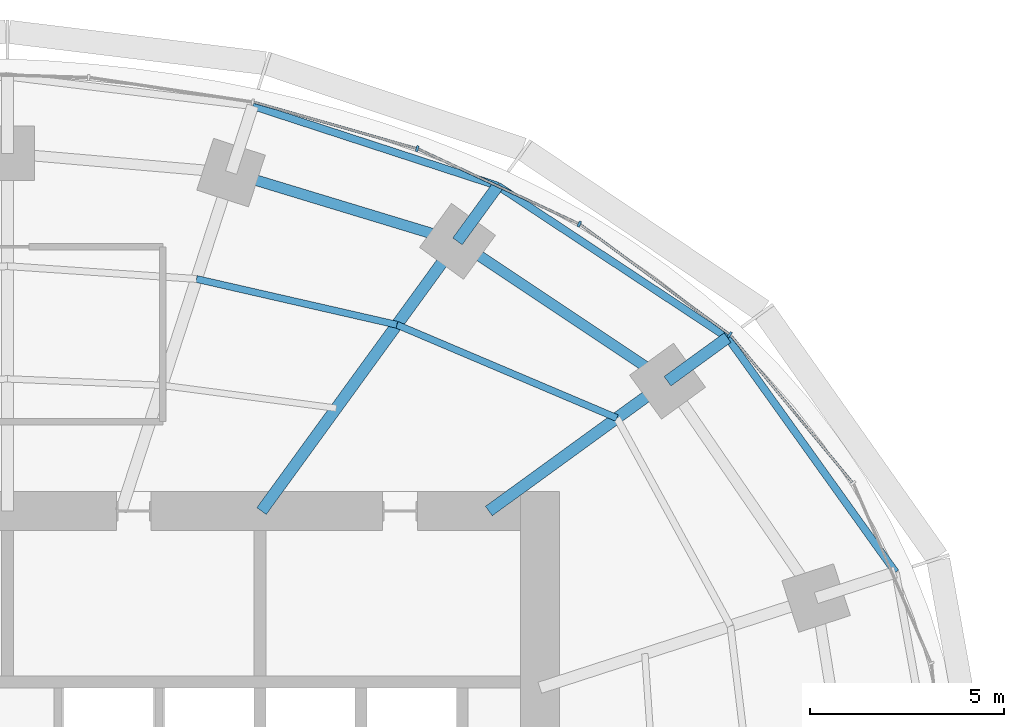
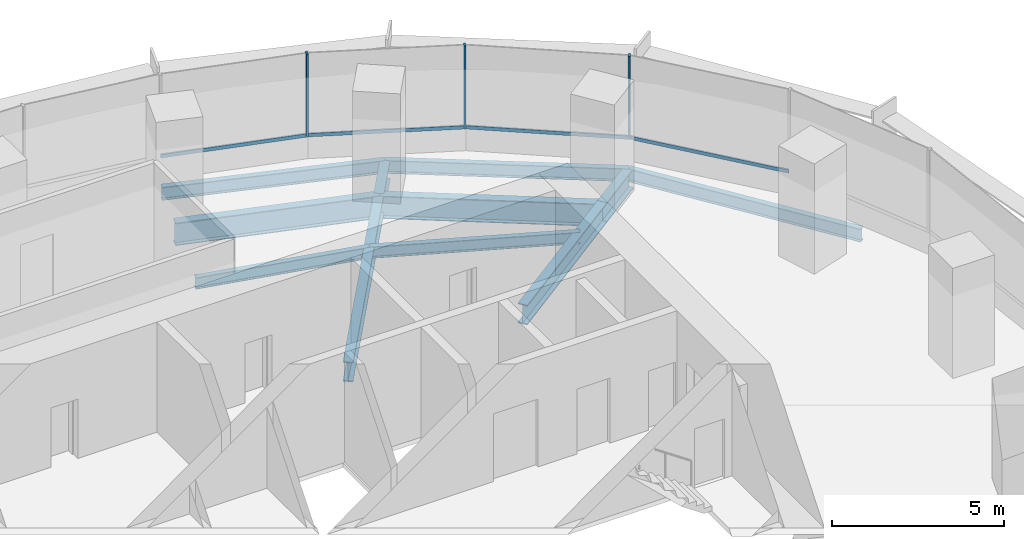
# One storey, part 8 of 14: 11 beams, 7 members, 2 elements without a shape of their own.
"""IFC4 building model written with IfcOpenShell, lengths in metres."""

from ifc_helpers import new_model, si_unit, direction, frame, origin, origin_2d, place, context, subcontext, project, spatial, rectangle, i_section, extrude, material, material_profile, profile_set, type_object, element, aggregate, save


model = new_model("IFC4")

# Units and contexts
model_context = context("Model", 3, precision=1e-05, world=origin(), true_north=direction((0.0, 1.0)))
body_context = subcontext(model_context, "Body", "Model", "MODEL_VIEW")
ifc_project = project(units=[si_unit("LENGTHUNIT", "METRE"), si_unit("AREAUNIT", "SQUARE_METRE"), si_unit("VOLUMEUNIT", "CUBIC_METRE"), si_unit("PLANEANGLEUNIT", "RADIAN"), si_unit("MASSUNIT", "GRAM", prefix="KILO")], contexts=[model_context])

# Site, building, storey
site_placement = place(None, origin())
site = spatial("IfcSite", under=ifc_project, at=site_placement, CompositionType="ELEMENT")
building_placement = place(site_placement, origin())
building = spatial("IfcBuilding", under=site, at=building_placement, Name="Marramba Exchange Tower", CompositionType="ELEMENT")
storey_placement = place(building_placement, frame((0.0, 0.0, 215.0)))
storey = spatial("IfcBuildingStorey", under=building, at=storey_placement, Name="L52", CompositionType="ELEMENT", Elevation=215.0)

# Beams
ifc_material_1 = material(Name="Steel AS/NZS 3679.2 grade 300", Category="steel")
ifc_material_profile_1 = material_profile(ifc_material_1, i_section(OverallWidth=0.300048828125, OverallDepth=0.699951171875, WebThickness=0.010009765625, FlangeThickness=0.031982421875, at=origin_2d()), Name="700WB173")
ifc_profile_set_1 = profile_set([ifc_material_profile_1], Name="Steel AS/NZS 3679.2 grade 300")
beam_type_1 = type_object("IfcBeamType", Name="Cantilever girder 700WB173", PredefinedType="BEAM", material=ifc_profile_set_1)
beam_1_placement = place(storey_placement, frame((16.98583984375, 12.3408203125, -0.510009765625), z_axis=(0.808962750283, 0.587859905636, 0.0), x_axis=(-0.587859905636, 0.808962750283, 0.0)))
element("IfcBeam", 1, at=beam_1_placement, inside=storey, type_object=beam_type_1, Name="Cantilever girder L52 TC03", PredefinedType="BEAM", context=body_context, shape_type="SweptSolid", body=[
    extrude(i_section(OverallWidth=0.300048828125, OverallDepth=0.699951171875, WebThickness=0.010009765625, FlangeThickness=0.031982421875, at=origin_2d()), origin(), (0.0, 0.0, 1.0), 1.9091796875),
])
beam_2_placement = place(storey_placement, frame((11.581298828125, 15.9404296875, -0.510009765625), z_axis=(0.587817766387, 0.808993370504, 0.0), x_axis=(-0.808993370504, 0.587817766387, 0.0)))
element("IfcBeam", 2, at=beam_2_placement, inside=storey, type_object=beam_type_1, Name="Cantilever girder L52 TC04", PredefinedType="BEAM", context=body_context, shape_type="SweptSolid", body=[
    extrude(i_section(OverallWidth=0.300048828125, OverallDepth=0.699951171875, WebThickness=0.010009765625, FlangeThickness=0.031982421875, at=origin_2d()), origin(), (0.0, 0.0, 1.0), 1.763916015625),
])
ifc_material_2 = material(Name="Steel AS/NZS 3679.1 grade 300", Category="steel")
ifc_material_profile_2 = material_profile(ifc_material_2, i_section(OverallWidth=0.177978515625, OverallDepth=0.406005859375, WebThickness=0.0078125, FlangeThickness=0.0126953125, FilletRadius=0.011474609375, at=origin_2d()), Name="410UB59.7")
ifc_profile_set_2 = profile_set([ifc_material_profile_2], Name="Steel AS/NZS 3679.1 grade 300")
beam_type_2 = type_object("IfcBeamType", Name="Floor joist 410UB59.7", PredefinedType="JOIST", material=ifc_profile_set_2)
beam_3_placement = place(storey_placement, frame((15.682373046875, 11.393798828125, -0.363037109375), z_axis=(-0.920674336375, 0.390331610738, 0.0), x_axis=(-0.390331610738, -0.920674336375, 0.0)))
element("IfcBeam", 3, at=beam_3_placement, inside=storey, type_object=beam_type_2, Name="Joist L52 bay 03 row 2", PredefinedType="JOIST", context=body_context, shape_type="SweptSolid", body=[
    extrude(i_section(OverallWidth=0.177978515625, OverallDepth=0.406005859375, WebThickness=0.0078125, FlangeThickness=0.0126953125, FilletRadius=0.011474609375, at=origin_2d()), origin(), (0.0, 0.0, 1.0), 6.1484375),
])
beam_4_placement = place(storey_placement, frame((10.021728515625, 13.793701171875, -0.363037109375), z_axis=(-0.974859652292, 0.222819788916, 0.0), x_axis=(-0.222819788916, -0.974859652292, 0.0)))
element("IfcBeam", 4, at=beam_4_placement, inside=storey, type_object=beam_type_2, Name="Joist L52 bay 04 row 2", PredefinedType="JOIST", context=body_context, shape_type="SweptSolid", body=[
    extrude(i_section(OverallWidth=0.177978515625, OverallDepth=0.406005859375, WebThickness=0.0078125, FlangeThickness=0.0126953125, FilletRadius=0.011474609375, at=origin_2d()), origin(), (0.0, 0.0, 1.0), 5.2900390625),
])

# Curtain wall, members
ifc_material_3 = material(Name="Aluminium framing, bronze anodised", Category="aluminium")
curtain_wall_type = type_object("IfcCurtainWallType", Name="Office ribbon curtain wall", PredefinedType="USERDEFINED", material=ifc_material_3)
curtain_wall_1_placement = place(storey_placement, origin())
curtain_wall_1 = element("IfcCurtainWall", 5, at=curtain_wall_1_placement, inside=storey, type_object=curtain_wall_type, Name="Curtain wall CW4 L52 F01-F05", ObjectType="RIBBON CURTAIN WALL", PredefinedType="USERDEFINED")
ifc_material_4 = material(Name="Aluminium mullion, bronze anodised", Category="aluminium")
ifc_material_profile_3 = material_profile(ifc_material_4, rectangle(XDim=0.159912109375, YDim=0.06005859375, at=origin_2d()), Name="CW4 mullion 60x160")
ifc_profile_set_3 = profile_set([ifc_material_profile_3], Name="Aluminium mullion, bronze anodised")
member_type_1 = type_object("IfcMemberType", Name="Office ribbon curtain wall mullion", PredefinedType="MULLION", material=ifc_profile_set_3)
member_1_placement = place(storey_placement, frame((18.587158203125, 13.53955078125, 0.800048828125), z_axis=(0.0, 0.0, 1.0), x_axis=(-0.593441317494, -0.804877259395, 0.0)))
member_1 = element("IfcMember", 6, at=member_1_placement, type_object=member_type_1, Name="CW4 mullion 1", PredefinedType="MULLION", context=body_context, shape_type="SweptSolid", body=[
    extrude(rectangle(XDim=0.159912109375, YDim=0.06005859375, at=origin_2d()), origin(), (0.0, 0.0, 1.0), 2.93994140625),
])
member_2_placement = place(storey_placement, frame((14.7158203125, 16.386474609375, 0.800048828125), z_axis=(0.0, 0.0, 1.0), x_axis=(-0.422133006189, -0.906533907301, 0.0)))
member_2 = element("IfcMember", 7, at=member_2_placement, type_object=member_type_1, Name="CW4 mullion 1", PredefinedType="MULLION", context=body_context, shape_type="SweptSolid", body=[
    extrude(rectangle(XDim=0.159912109375, YDim=0.06005859375, at=origin_2d()), origin(), (0.0, 0.0, 1.0), 2.93994140625),
])

# Curtain wall, member
curtain_wall_2_placement = place(storey_placement, origin())
curtain_wall_2 = element("IfcCurtainWall", 8, at=curtain_wall_2_placement, inside=storey, type_object=curtain_wall_type, Name="Curtain wall CW4 L52 F06-F10", ObjectType="RIBBON CURTAIN WALL", PredefinedType="USERDEFINED")
member_3_placement = place(storey_placement, frame((10.54541015625, 18.3232421875, 0.800048828125), z_axis=(0.0, 0.0, 1.0), x_axis=(-0.274248164656, -0.961658954195, 0.0)))
member_3 = element("IfcMember", 9, at=member_3_placement, type_object=member_type_1, Name="CW4 mullion 1", PredefinedType="MULLION", context=body_context, shape_type="SweptSolid", body=[
    extrude(rectangle(XDim=0.159912109375, YDim=0.06005859375, at=origin_2d()), origin(), (0.0, 0.0, 1.0), 2.93994140625),
])

# Member
ifc_material_5 = material(Name="Aluminium transom, bronze anodised", Category="aluminium")
ifc_material_profile_4 = material_profile(ifc_material_5, rectangle(XDim=0.06005859375, YDim=0.1201171875, at=origin_2d()), Name="CW4 transom 60x120")
ifc_profile_set_4 = profile_set([ifc_material_profile_4], Name="Aluminium transom, bronze anodised")
member_type_2 = type_object("IfcMemberType", Name="Office ribbon curtain wall transom", PredefinedType="USERDEFINED", material=ifc_profile_set_4)
member_4_placement = place(storey_placement, frame((21.73779296875, 9.74169921875, 0.830078125), z_axis=(-0.637375191043, 0.770553609973, 0.0), x_axis=(-0.770553609973, -0.637375191043, 0.0)))
member_4 = element("IfcMember", 10, at=member_4_placement, type_object=member_type_2, Name="CW4 sill transom", ObjectType="TRANSOM", PredefinedType="USERDEFINED", context=body_context, shape_type="SweptSolid", body=[
    extrude(rectangle(XDim=0.06005859375, YDim=0.1201171875, at=origin_2d()), origin(), (0.0, 0.0, 1.0), 4.905517578125),
])

member_5_placement = place(storey_placement, frame((18.56298828125, 13.557373046875, 0.830078125), z_axis=(-0.804874780157, 0.593444680039, 0.0), x_axis=(-0.593444680039, -0.804874780157, 0.0)))
member_5 = element("IfcMember", 11, at=member_5_placement, type_object=member_type_2, Name="CW4 sill transom", ObjectType="TRANSOM", PredefinedType="USERDEFINED", context=body_context, shape_type="SweptSolid", body=[
    extrude(rectangle(XDim=0.06005859375, YDim=0.1201171875, at=origin_2d()), origin(), (0.0, 0.0, 1.0), 4.745849609375),
])

member_6_placement = place(storey_placement, frame((14.688720703125, 16.399169921875, 0.830078125), z_axis=(-0.906548348139, 0.422101992989, 0.0), x_axis=(-0.422101992989, -0.906548348139, 0.0)))
member_6 = element("IfcMember", 12, at=member_6_placement, type_object=member_type_2, Name="CW4 sill transom", ObjectType="TRANSOM", PredefinedType="USERDEFINED", context=body_context, shape_type="SweptSolid", body=[
    extrude(rectangle(XDim=0.06005859375, YDim=0.1201171875, at=origin_2d()), origin(), (0.0, 0.0, 1.0), 4.53857421875),
])

aggregate(curtain_wall_1, [member_4, member_1, member_5, member_2, member_6])

member_7_placement = place(storey_placement, frame((10.5166015625, 18.33154296875, 0.830078125), z_axis=(-0.961661807825, 0.274238158125, 0.0), x_axis=(-0.274238158125, -0.961661807825, 0.0)))
member_7 = element("IfcMember", 13, at=member_7_placement, type_object=member_type_2, Name="CW4 sill transom", ObjectType="TRANSOM", PredefinedType="USERDEFINED", context=body_context, shape_type="SweptSolid", body=[
    extrude(rectangle(XDim=0.06005859375, YDim=0.1201171875, at=origin_2d()), origin(), (0.0, 0.0, 1.0), 4.340087890625),
])

aggregate(curtain_wall_2, [member_3, member_7])

# Beams
ifc_material_profile_5 = material_profile(ifc_material_1, i_section(OverallWidth=0.300048828125, OverallDepth=0.699951171875, WebThickness=0.010009765625, FlangeThickness=0.031982421875, at=origin_2d()), Name="700WB173")
ifc_profile_set_5 = profile_set([ifc_material_profile_5], Name="Steel AS/NZS 3679.2 grade 300")
beam_type_3 = type_object("IfcBeamType", Name="Radial girder 700WB173", PredefinedType="BEAM", material=ifc_profile_set_5)
beam_5_placement = place(storey_placement, frame((12.387451171875, 9.0, -0.510009765625), z_axis=(0.809025746925, 0.587773205252, 0.0), x_axis=(-0.587773205252, 0.809025746925, 0.0)))
element("IfcBeam", 14, at=beam_5_placement, inside=storey, type_object=beam_type_3, Name="Radial girder L52 TC03", PredefinedType="BEAM", context=body_context, shape_type="SweptSolid", body=[
    extrude(i_section(OverallWidth=0.300048828125, OverallDepth=0.699951171875, WebThickness=0.010009765625, FlangeThickness=0.031982421875, at=origin_2d()), origin(), (0.0, 0.0, 1.0), 5.683837890625),
])
beam_6_placement = place(storey_placement, frame((6.538818359375, 9.0, -0.510009765625), z_axis=(0.587782439969, 0.80901903764, 0.0), x_axis=(-0.80901903764, 0.587782439969, 0.0)))
element("IfcBeam", 15, at=beam_6_placement, inside=storey, type_object=beam_type_3, Name="Radial girder L52 TC04", PredefinedType="BEAM", context=body_context, shape_type="SweptSolid", body=[
    extrude(i_section(OverallWidth=0.300048828125, OverallDepth=0.699951171875, WebThickness=0.010009765625, FlangeThickness=0.031982421875, at=origin_2d()), origin(), (0.0, 0.0, 1.0), 8.578857421875),
])
ifc_material_profile_6 = material_profile(ifc_material_1, i_section(OverallWidth=0.27490234375, OverallDepth=0.800048828125, WebThickness=0.010009765625, FlangeThickness=0.02490234375, at=origin_2d()), Name="800WB168")
ifc_profile_set_6 = profile_set([ifc_material_profile_6], Name="Steel AS/NZS 3679.2 grade 300")
beam_type_4 = type_object("IfcBeamType", Name="Ring beam 800WB168", PredefinedType="SPANDREL", material=ifc_profile_set_6)
beam_7_placement = place(storey_placement, frame((16.98583984375, 12.3408203125, -0.56005859375), z_axis=(-0.832293151443, 0.554335737673, 0.0), x_axis=(-0.554335737673, -0.832293151443, 0.0)))
element("IfcBeam", 16, at=beam_7_placement, inside=storey, type_object=beam_type_4, Name="Ring beam L52 TC03-TC04", PredefinedType="SPANDREL", context=body_context, shape_type="SweptSolid", body=[
    extrude(i_section(OverallWidth=0.27490234375, OverallDepth=0.800048828125, WebThickness=0.010009765625, FlangeThickness=0.02490234375, at=origin_2d()), origin(), (0.0, 0.0, 1.0), 6.49365234375),
])
beam_8_placement = place(storey_placement, frame((11.581298828125, 15.9404296875, -0.56005859375), z_axis=(-0.956924542524, 0.290336735387, 0.0), x_axis=(-0.290336735387, -0.956924542524, 0.0)))
element("IfcBeam", 17, at=beam_8_placement, inside=storey, type_object=beam_type_4, Name="Ring beam L52 TC04-TC05", PredefinedType="SPANDREL", context=body_context, shape_type="SweptSolid", body=[
    extrude(i_section(OverallWidth=0.27490234375, OverallDepth=0.800048828125, WebThickness=0.010009765625, FlangeThickness=0.02490234375, at=origin_2d()), origin(), (0.0, 0.0, 1.0), 6.089599609375),
])
ifc_material_profile_7 = material_profile(ifc_material_2, i_section(OverallWidth=0.19091796875, OverallDepth=0.4599609375, WebThickness=0.010009765625, FlangeThickness=0.01611328125, FilletRadius=0.011474609375, at=origin_2d()), Name="460UB82.1")
ifc_profile_set_7 = profile_set([ifc_material_profile_7], Name="Steel AS/NZS 3679.1 grade 300")
beam_type_5 = type_object("IfcBeamType", Name="Slab edge beam 460UB82.1", PredefinedType="SPANDREL", material=ifc_profile_set_7)
beam_9_placement = place(storey_placement, frame((22.853515625, 7.425537109375, -0.389892578125), z_axis=(-0.582189457885, 0.813053156398, 0.0), x_axis=(-0.813053156398, -0.582189457885, 0.0)))
element("IfcBeam", 18, at=beam_9_placement, inside=storey, type_object=beam_type_5, Name="Slab edge beam L52 TC02-TC03", PredefinedType="SPANDREL", context=body_context, shape_type="SweptSolid", body=[
    extrude(i_section(OverallWidth=0.19091796875, OverallDepth=0.4599609375, WebThickness=0.010009765625, FlangeThickness=0.01611328125, FilletRadius=0.011474609375, at=origin_2d()), origin(), (0.0, 0.0, 1.0), 7.42578125),
])
beam_10_placement = place(storey_placement, frame((18.5302734375, 13.463134765625, -0.389892578125), z_axis=(-0.834459826117, 0.551068778463, 0.0), x_axis=(-0.551068778463, -0.834459826117, 0.0)))
element("IfcBeam", 19, at=beam_10_placement, inside=storey, type_object=beam_type_5, Name="Slab edge beam L52 TC03-TC04", PredefinedType="SPANDREL", context=body_context, shape_type="SweptSolid", body=[
    extrude(i_section(OverallWidth=0.19091796875, OverallDepth=0.4599609375, WebThickness=0.010009765625, FlangeThickness=0.01611328125, FilletRadius=0.011474609375, at=origin_2d()), origin(), (0.0, 0.0, 1.0), 7.0849609375),
])
beam_11_placement = place(storey_placement, frame((12.6181640625, 17.367431640625, -0.389892578125), z_axis=(-0.950608559101, 0.310392279809, 0.0), x_axis=(-0.310392279809, -0.950608559101, 0.0)))
element("IfcBeam", 20, at=beam_11_placement, inside=storey, type_object=beam_type_5, Name="Slab edge beam L52 TC04-TC05", PredefinedType="SPANDREL", context=body_context, shape_type="SweptSolid", body=[
    extrude(i_section(OverallWidth=0.19091796875, OverallDepth=0.4599609375, WebThickness=0.010009765625, FlangeThickness=0.01611328125, FilletRadius=0.011474609375, at=origin_2d()), origin(), (0.0, 0.0, 1.0), 6.6337890625),
])

save(model, "model.ifc")
